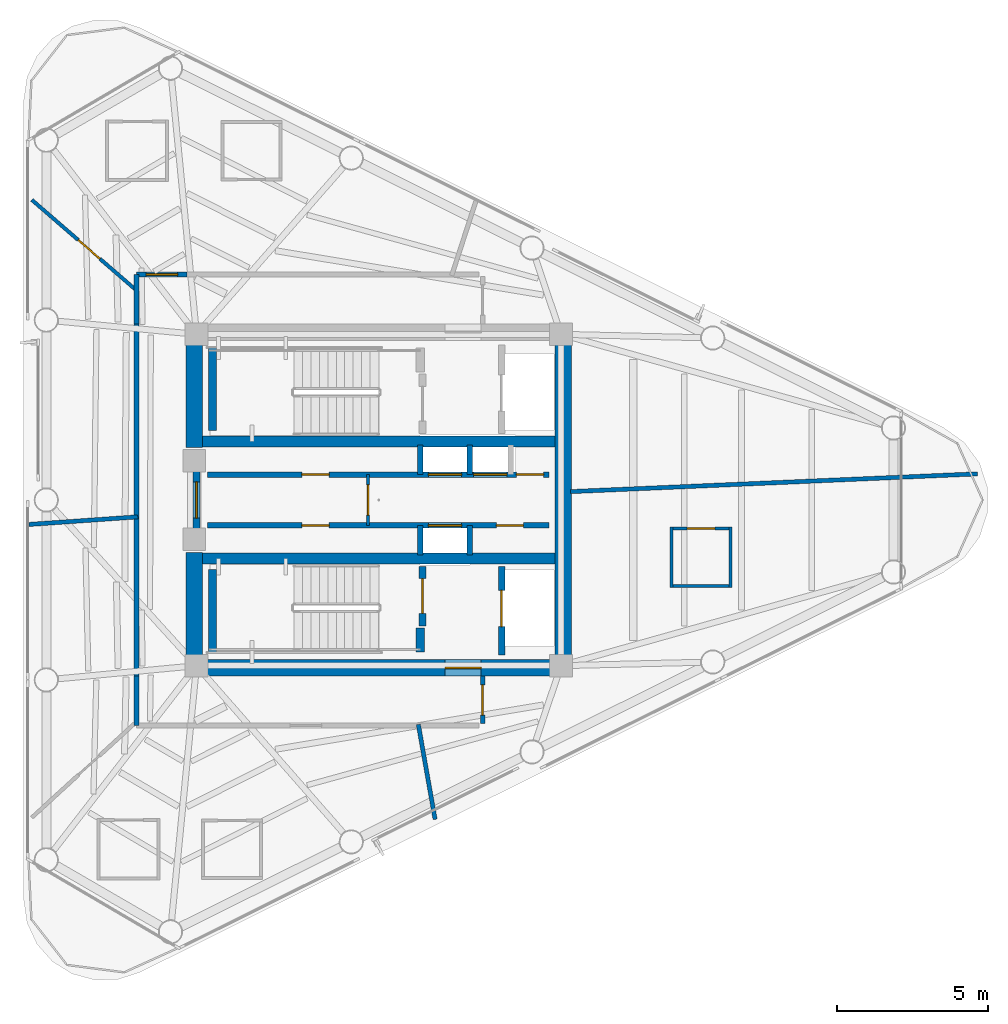
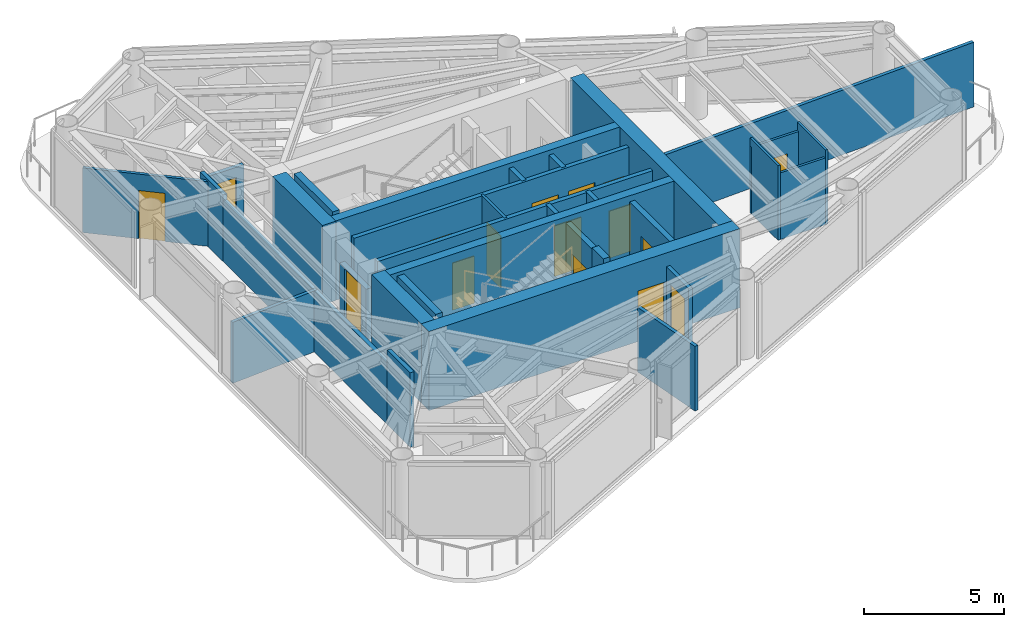
# One storey, part 5 of 10: 32 walls, 16 doors, 16 openings.
"""IFC4 building model written with IfcOpenShell, lengths in metres."""

import ifcopenshell
import ifcopenshell.guid

model = None  # the IFC model being written
_history = None  # IfcOwnerHistory: only IFC2X3 demands one
_inside = {}  # id of a spatial element -> (the spatial element, [elements in it])
_under = {}  # id of a project, library or spatial element -> (it, [spatial elements below it])
_declared = {}  # id of a project -> (the project, [libraries it declares])
_typed = {}  # id of a type object -> (the type object, [elements of that type])
_made_of = {}  # id of a material, layer set ... -> (it, [elements and type objects made of it])


def new_model(schema):
    """Start an empty IFC model of exactly this schema.

    Asked for "IFC4X3", IfcOpenShell would pick the latest addendum, in which some entities
    have other attributes; the version numbers below select the first issue.
    IFC2X3 requires an IfcOwnerHistory on every rooted entity: one is made here for all.
    """
    global model, _history
    if schema == "IFC4X3":
        model = ifcopenshell.file(schema_version=(4, 3, 0, 0))
    else:
        model = ifcopenshell.file(schema=schema)
    _inside.clear()
    _under.clear()
    _declared.clear()
    _typed.clear()
    _made_of.clear()
    _history = None
    if model.schema == "IFC2X3":
        org = make("IfcOrganization", Name="unknown")
        user = make(
            "IfcPersonAndOrganization",
            ThePerson=make("IfcPerson", FamilyName="unknown"),
            TheOrganization=org,
        )
        app = make(
            "IfcApplication",
            ApplicationDeveloper=org,
            Version="unknown",
            ApplicationFullName="unknown",
            ApplicationIdentifier="unknown",
        )
        _history = make(
            "IfcOwnerHistory",
            OwningUser=user,
            OwningApplication=app,
            ChangeAction="ADDED",
            CreationDate=0,
        )
    return model


def make(cls, **values):
    """One entity of the class cls with the attributes given. An attribute that is None is left unset."""
    return model.create_entity(
        cls, **{name: value for name, value in values.items() if value is not None}
    )


def rooted(cls, **values):
    """An entity with a GlobalId (a new one), such as an element, a storey or a relation."""
    return make(cls, GlobalId=ifcopenshell.guid.new(), OwnerHistory=_history, **values)


def si_unit(unit_type, name, prefix=None):
    """IfcSIUnit, for example si_unit("LENGTHUNIT", "METRE", prefix="MILLI")."""
    return make("IfcSIUnit", UnitType=unit_type, Prefix=prefix, Name=name)


def assignment(units):
    """IfcUnitAssignment: the units of a project."""
    return None if units is None else make("IfcUnitAssignment", Units=units)


def point(xyz):
    """IfcCartesianPoint."""
    return None if xyz is None else make("IfcCartesianPoint", Coordinates=xyz)


def direction(xyz):
    """IfcDirection."""
    return None if xyz is None else make("IfcDirection", DirectionRatios=xyz)


def frame(location, z_axis=None, x_axis=None):
    """IfcAxis2Placement3D, a coordinate frame: its origin and axes. An axis left out is left unset."""
    return make(
        "IfcAxis2Placement3D",
        Location=point(location),
        Axis=direction(z_axis),
        RefDirection=direction(x_axis),
    )


def frame_2d(location, x_axis=None):
    """IfcAxis2Placement2D, a coordinate frame in the plane: its origin and x axis."""
    return make(
        "IfcAxis2Placement2D", Location=point(location), RefDirection=direction(x_axis)
    )


def origin():
    """The frame at (0, 0, 0) with its axes left unset."""
    return frame((0.0, 0.0, 0.0))


def place(relative_to, where):
    """IfcLocalPlacement: puts the frame where relative to a parent placement (None: the world)."""
    return make(
        "IfcLocalPlacement", PlacementRelTo=relative_to, RelativePlacement=where
    )


def context(
    kind, dimensions, precision=None, world=None, true_north=None, identifier=None
):
    """IfcGeometricRepresentationContext, for example the 3D "Model" context."""
    return make(
        "IfcGeometricRepresentationContext",
        ContextIdentifier=identifier,
        ContextType=kind,
        CoordinateSpaceDimension=dimensions,
        Precision=precision,
        WorldCoordinateSystem=world,
        TrueNorth=true_north,
    )


def subcontext(parent, identifier, kind, view, scale=None):
    """IfcGeometricRepresentationSubContext, for example "Body" below "Model"."""
    return make(
        "IfcGeometricRepresentationSubContext",
        ContextIdentifier=identifier,
        ContextType=kind,
        ParentContext=parent,
        TargetScale=scale,
        TargetView=view,
    )


def project(units=None, contexts=None):
    """IfcProject with its units and contexts."""
    return rooted(
        "IfcProject",
        Name="project",
        RepresentationContexts=contexts,
        UnitsInContext=assignment(units),
    )


def spatial(cls, under=None, at=None, **own):
    """A site, building, storey or space (cls), placed at a placement, below another one or the project."""
    s = rooted(cls, ObjectPlacement=at, **own)
    if under is not None:
        _under.setdefault(under.id(), (under, []))[1].append(s)
    return s


def profile(cls, at=None, kind="AREA", **sizes):
    """A parametric profile (cls). Its sizes go by their IFC names, for example OverallWidth=200.0."""
    return make(cls, ProfileType=kind, Position=at, **sizes)


def rectangle(**sizes):
    """IfcRectangleProfileDef."""
    return profile("IfcRectangleProfileDef", **sizes)


def extrude(swept, where, along, depth):
    """IfcExtrudedAreaSolid: the profile swept, set in the frame where, extruded along a direction by depth."""
    return make(
        "IfcExtrudedAreaSolid",
        SweptArea=swept,
        Position=where,
        ExtrudedDirection=direction(along),
        Depth=depth,
    )


def shape(context_of_items, identifier, shape_type, items):
    """IfcShapeRepresentation: the items that make up one representation, for example the "Body"."""
    return make(
        "IfcShapeRepresentation",
        ContextOfItems=context_of_items,
        RepresentationIdentifier=identifier,
        RepresentationType=shape_type,
        Items=items,
    )


def material(Name=None, Category=None):
    """IfcMaterial."""
    return make("IfcMaterial", Name=Name, Category=Category)


def layer(
    of_material, thickness, ventilated=None, Name=None, Category=None, Priority=None
):
    """IfcMaterialLayer: one layer of a wall or slab, of a material (None: an air gap)."""
    return make(
        "IfcMaterialLayer",
        Material=of_material,
        LayerThickness=thickness,
        IsVentilated=ventilated,
        Name=Name,
        Category=Category,
        Priority=Priority,
    )


def layer_set(layers, Name=None):
    """IfcMaterialLayerSet."""
    return make("IfcMaterialLayerSet", MaterialLayers=layers, LayerSetName=Name)


def made_of(thing, what):
    """Note that an element or type object is made of a material, layer set ...; save() writes the relation."""
    if what is not None:
        _made_of.setdefault(what.id(), (what, []))[1].append(thing)
    return thing


def type_object(cls, material=None, **own):
    """A type object (cls), such as IfcWallType, which elements share."""
    return made_of(rooted(cls, **own), material)


def element(
    cls,
    number,
    at=None,
    inside=None,
    cuts=None,
    type_object=None,
    material=None,
    context=None,
    identifier="Body",
    shape_type=None,
    held_by="IfcProductDefinitionShape",
    body=None,
    shapes=None,
    **own,
):
    """One element of the class cls, such as IfcWall. Its Tag is "e" and its number.

    at: its placement. inside: the storey or other place that contains it. cuts: it is an
    opening in that element (IfcRelVoidsElement). A single representation is given by context,
    identifier, shape_type and body (its items); several are given by shapes. held_by: the class
    of the entity that holds the representations. save() writes the other relations.
    """
    e = rooted(cls, Tag="e%d" % number, ObjectPlacement=at, **own)
    if body is not None:
        shapes = [shape(context, identifier, shape_type, body)]
    if shapes is not None:
        e.Representation = make(held_by, Representations=shapes)
    if inside is not None:
        _inside.setdefault(inside.id(), (inside, []))[1].append(e)
    if cuts is not None:
        rooted(
            "IfcRelVoidsElement", RelatingBuildingElement=cuts, RelatedOpeningElement=e
        )
    if type_object is not None:
        _typed.setdefault(type_object.id(), (type_object, []))[1].append(e)
    return made_of(e, material)


def fill(opening, filler):
    """IfcRelFillsElement: the door or window that sits in an opening."""
    return rooted(
        "IfcRelFillsElement",
        RelatingOpeningElement=opening,
        RelatedBuildingElement=filler,
    )


def aggregate(whole, parts):
    """IfcRelAggregates: a whole, such as a stair, and the parts it consists of."""
    return rooted("IfcRelAggregates", RelatingObject=whole, RelatedObjects=parts)


def save(model, path):
    """Write the relations noted so far, then the file.

    IfcRelAggregates (storeys below a building ...), IfcRelContainedInSpatialStructure (elements
    in a storey), IfcRelDefinesByType, IfcRelAssociatesMaterial and IfcRelDeclares: one each for
    every whole, place, type object, material and project.
    """
    for whole, parts in _under.values():
        aggregate(whole, parts)
    for where, things in _inside.values():
        rooted(
            "IfcRelContainedInSpatialStructure",
            RelatedElements=things,
            RelatingStructure=where,
        )
    for kind, things in _typed.values():
        rooted("IfcRelDefinesByType", RelatedObjects=things, RelatingType=kind)
    for what, things in _made_of.values():
        rooted("IfcRelAssociatesMaterial", RelatedObjects=things, RelatingMaterial=what)
    for by, libraries in _declared.values():
        rooted("IfcRelDeclares", RelatingContext=by, RelatedDefinitions=libraries)
    model.write(path)


model = new_model("IFC4")

# Units and contexts
model_context = context("Model", 3, precision=1e-05, world=origin(), true_north=direction((0.0, 1.0)))
body_context = subcontext(model_context, "Body", "Model", "MODEL_VIEW")
ifc_project = project(units=[si_unit("LENGTHUNIT", "METRE"), si_unit("AREAUNIT", "SQUARE_METRE"), si_unit("VOLUMEUNIT", "CUBIC_METRE"), si_unit("PLANEANGLEUNIT", "RADIAN"), si_unit("MASSUNIT", "GRAM", prefix="KILO")], contexts=[model_context])

# Site, building, storey
site_placement = place(None, origin())
site = spatial("IfcSite", under=ifc_project, at=site_placement, CompositionType="ELEMENT")
building_placement = place(site_placement, origin())
building = spatial("IfcBuilding", under=site, at=building_placement, Name="Yunling Apex Tower", CompositionType="ELEMENT")
storey_placement = place(building_placement, frame((0.0, 0.0, 307.10009765625)))
storey = spatial("IfcBuildingStorey", under=building, at=storey_placement, Name="L75", CompositionType="ELEMENT", Elevation=307.10009765625)

# Wall, opening, door
ifc_material_1 = material(Name="Concrete C40", Category="concrete")
ifc_layer_1 = layer(ifc_material_1, 0.550048828125)
ifc_layer_set_1 = layer_set([ifc_layer_1], Name="Concrete C40")
wall_type_1 = type_object("IfcWallType", Name="WL-COR-3", PredefinedType="SHEAR", material=ifc_layer_set_1)
wall_1_placement = place(storey_placement, frame((-6.39990234375, -5.574951171875, 0.0), z_axis=(0.0, 0.0, 1.0), x_axis=(1.0, 0.0, 0.0)))
wall_1 = element("IfcWall", 1, at=wall_1_placement, inside=storey, type_object=wall_type_1, Name="L75 South Core Shear Wall", PredefinedType="SHEAR", context=body_context, shape_type="SweptSolid", body=[
    extrude(rectangle(XDim=12.7998046875, YDim=0.550048828125, at=frame_2d((6.39990234375, 0.0))), origin(), (0.0, 0.0, 1.0), 3.449951171875),
])
opening_1_placement = place(wall_1_placement, frame((8.60009765625, 0.0, 0.0)))
opening_1 = element("IfcOpeningElement", 2, at=opening_1_placement, cuts=wall_1, Name="Opening DR-FFL-1", PredefinedType="OPENING", context=body_context, shape_type="SweptSolid", body=[
    extrude(rectangle(XDim=1.199951171875, YDim=2.199951171875, at=frame_2d((0.60009765625, 1.10009765625))), frame((0.0, 0.28515625, 0.0), z_axis=(0.0, -1.0, 0.0), x_axis=(1.0, 0.0, 0.0)), (0.0, 0.0, 1.0), 0.570068359375),
])
ifc_material_2 = material(Name="Steel Q355B", Category="steel")
door_type_1 = type_object("IfcDoorType", Name="DR-FFL-1", OperationType="NOTDEFINED", PredefinedType="DOOR", material=ifc_material_2)
door_1_placement = place(opening_1_placement, origin())
door_1 = element("IfcDoor", 3, at=door_1_placement, inside=storey, type_object=door_type_1, Name="L75 South Firefighting Lobby Door", OperationType="SINGLE_SWING_RIGHT", OverallHeight=2.199951171875, OverallWidth=1.199951171875, PredefinedType="DOOR", context=body_context, shape_type="SweptSolid", body=[
    extrude(rectangle(XDim=1.199951171875, YDim=2.199951171875, at=frame_2d((0.60009765625, 1.10009765625))), frame((0.0, 0.02490234375, 0.0), z_axis=(0.0, -1.0, 0.0), x_axis=(1.0, 0.0, 0.0)), (0.0, 0.0, 1.0), 0.050048828125),
])
fill(opening_1, door_1)

# Walls
wall_2_placement = place(storey_placement, frame((6.125, -5.300048828125, 0.0), z_axis=(0.0, 0.0, 1.0), x_axis=(0.0, 1.0, 0.0)))
element("IfcWall", 4, at=wall_2_placement, inside=storey, type_object=wall_type_1, Name="L75 East Core Shear Wall", PredefinedType="SHEAR", context=body_context, shape_type="SweptSolid", body=[
    extrude(rectangle(XDim=10.60009765625, YDim=0.550048828125, at=frame_2d((5.300048828125, 0.0))), origin(), (0.0, 0.0, 1.0), 3.449951171875),
])
for number, where, z_axis, x_axis, name in (
    (5, (-6.125, -5.300048828125, 0.0), (0.0, 0.0, 1.0), (0.0, 1.0, 0.0), "L75 West-South Core Shear Wall"),
    (6, (-6.125, 1.75, 0.0), (0.0, 0.0, 1.0), (0.0, 1.0, 0.0), "L75 West-North Core Shear Wall"),
):
    element("IfcWall", number, at=place(storey_placement, frame(where, z_axis=z_axis, x_axis=x_axis)), inside=storey, type_object=wall_type_1, Name=name, PredefinedType="SHEAR", context=body_context, shape_type="SweptSolid", body=[
        extrude(rectangle(XDim=3.550048828125, YDim=0.550048828125, at=frame_2d((1.77490234375, 0.0))), origin(), (0.0, 0.0, 1.0), 3.449951171875),
    ])
ifc_layer_2 = layer(ifc_material_1, 0.360107421875)
ifc_layer_set_2 = layer_set([ifc_layer_2], Name="Concrete C40")
wall_type_2 = type_object("IfcWallType", Name="WL-COR-4", PredefinedType="SHEAR", material=ifc_layer_set_2)
for number, where, z_axis, x_axis, name in (
    (7, (-5.85009765625, 1.93994140625, 0.0), (0.0, 0.0, 1.0), (1.0, 0.0, 0.0), "L75 North Internal Core Shear Wall"),
    (8, (-5.85009765625, -1.93994140625, 0.0), (0.0, 0.0, 1.0), (1.0, 0.0, 0.0), "L75 South Internal Core Shear Wall"),
):
    element("IfcWall", number, at=place(storey_placement, frame(where, z_axis=z_axis, x_axis=x_axis)), inside=storey, type_object=wall_type_2, Name=name, PredefinedType="SHEAR", context=body_context, shape_type="SweptSolid", body=[
        extrude(rectangle(XDim=11.7001953125, YDim=0.360107421875, at=frame_2d((5.85009765625, 0.0))), origin(), (0.0, 0.0, 1.0), 3.449951171875),
    ])
ifc_layer_3 = layer(ifc_material_1, 0.280029296875)
ifc_layer_set_3 = layer_set([ifc_layer_3], Name="Concrete C40")
wall_type_3 = type_object("IfcWallType", Name="WL-COR-8", PredefinedType="SHEAR", material=ifc_layer_set_3)
for number, where, z_axis, x_axis, name in (
    (9, (-5.52001953125, 2.300048828125, 0.0), (0.0, 0.0, 1.0), (0.0, 1.0, 0.0), "L75 ST-1 West Landing Bearing Wall"),
    (10, (-5.52001953125, -5.050048828125, 0.0), (0.0, 0.0, 1.0), (0.0, 1.0, 0.0), "L75 ST-2 West Landing Bearing Wall"),
):
    element("IfcWall", number, at=place(storey_placement, frame(where, z_axis=z_axis, x_axis=x_axis)), inside=storey, type_object=wall_type_3, Name=name, PredefinedType="SHEAR", context=body_context, shape_type="SweptSolid", body=[
        extrude(rectangle(XDim=2.75, YDim=0.280029296875, at=frame_2d((1.375, 0.0))), origin(), (0.0, 0.0, 1.0), 3.449951171875),
    ])
wall_3_placement = place(storey_placement, frame((1.3798828125, -5.050048828125, 0.0), z_axis=(0.0, 0.0, 1.0), x_axis=(0.0, 1.0, 0.0)))
element("IfcWall", 11, at=wall_3_placement, inside=storey, type_object=wall_type_3, Name="L75 ST-2 East Landing Bearing Pier", PredefinedType="SHEAR", context=body_context, shape_type="SweptSolid", body=[
    extrude(rectangle(XDim=0.800048828125, YDim=0.280029296875, at=frame_2d((0.39990234375, 0.0))), origin(), (0.0, 0.0, 1.0), 3.449951171875),
])
ifc_material_3 = material(Name="Gypsum board acoustic partition")
ifc_layer_4 = layer(ifc_material_3, 0.159912109375)
ifc_layer_set_4 = layer_set([ifc_layer_4], Name="Gypsum board acoustic partition")
wall_type_4 = type_object("IfcWallType", Name="WL-PRT-1", PredefinedType="PARTITIONING", material=ifc_layer_set_4)
wall_4_placement = place(storey_placement, frame((-8.0400390625, 5.85009765625, 0.0), z_axis=(0.0, 0.0, 1.0), x_axis=(0.0, 1.0, 0.0)))
element("IfcWall", 12, at=wall_4_placement, inside=storey, type_object=wall_type_4, Name="WL-CORR-L75-01", PredefinedType="PARTITIONING", context=body_context, shape_type="SweptSolid", body=[
    extrude(rectangle(XDim=1.639892578125, YDim=0.159912109375, at=frame_2d((0.81982421875, 0.0))), origin(), (0.0, 0.0, 1.0), 2.90478515625),
])

# Wall, opening, door
wall_5_placement = place(storey_placement, frame((-8.0400390625, 7.489990234375, 0.0), z_axis=(0.0, 0.0, 1.0), x_axis=(1.0, 0.0, 0.0)))
wall_5 = element("IfcWall", 13, at=wall_5_placement, inside=storey, type_object=wall_type_4, Name="WL-CORR-L75-02", PredefinedType="PARTITIONING", context=body_context, shape_type="SweptSolid", body=[
    extrude(rectangle(XDim=1.679931640625, YDim=0.159912109375, at=frame_2d((0.83984375, 0.0))), origin(), (0.0, 0.0, 1.0), 2.65478515625),
])
opening_2_placement = place(wall_5_placement, frame((0.31494140625, 0.0, 0.0)))
opening_2 = element("IfcOpeningElement", 14, at=opening_2_placement, cuts=wall_5, Name="Opening DR-FL-1", PredefinedType="OPENING", context=body_context, shape_type="SweptSolid", body=[
    extrude(rectangle(XDim=1.050048828125, YDim=2.199951171875, at=frame_2d((0.52490234375, 1.10009765625))), frame((0.0, 0.08984375, 0.0), z_axis=(0.0, -1.0, 0.0), x_axis=(1.0, 0.0, 0.0)), (0.0, 0.0, 1.0), 0.179931640625),
])
ifc_material_4 = material(Name="Timber fire-rated leaf", Category="wood")
door_type_2 = type_object("IfcDoorType", Name="DR-FL-1", OperationType="NOTDEFINED", PredefinedType="DOOR", material=ifc_material_4)
door_2_placement = place(opening_2_placement, origin())
door_2 = element("IfcDoor", 15, at=door_2_placement, inside=storey, type_object=door_type_2, Name="L75 Unit 4 Entrance Door", OperationType="SINGLE_SWING_LEFT", OverallHeight=2.199951171875, OverallWidth=1.050048828125, PredefinedType="DOOR", context=body_context, shape_type="SweptSolid", body=[
    extrude(rectangle(XDim=1.050048828125, YDim=2.199951171875, at=frame_2d((0.52490234375, 1.10009765625))), frame((0.0, 0.02490234375, 0.0), z_axis=(0.0, -1.0, 0.0), x_axis=(1.0, 0.0, 0.0)), (0.0, 0.0, 1.0), 0.050048828125),
])
fill(opening_2, door_2)

wall_6_placement = place(storey_placement, frame((3.449951171875, -5.85009765625, 0.0), z_axis=(0.0, 0.0, 1.0), x_axis=(0.0, -1.0, 0.0)))
wall_6 = element("IfcWall", 16, at=wall_6_placement, inside=storey, type_object=wall_type_4, Name="WL-CORR-L75-05", PredefinedType="PARTITIONING", context=body_context, shape_type="SweptSolid", body=[
    extrude(rectangle(XDim=1.57470703125, YDim=0.159912109375, at=frame_2d((0.787353515625, 0.0))), origin(), (0.0, 0.0, 1.0), 2.85498046875),
])
opening_3_placement = place(wall_6_placement, frame((0.287353515625, 0.0, 0.0)))
opening_3 = element("IfcOpeningElement", 17, at=opening_3_placement, cuts=wall_6, Name="Opening DR-OFF-1", PredefinedType="OPENING", context=body_context, shape_type="SweptSolid", body=[
    extrude(rectangle(XDim=1.0, YDim=2.25, at=frame_2d((0.5, 1.125))), frame((0.0, 0.08984375, 0.0), z_axis=(0.0, -1.0, 0.0), x_axis=(1.0, 0.0, 0.0)), (0.0, 0.0, 1.0), 0.179931640625),
])
ifc_material_5 = material(Name="Bronze anodised aluminium", Category="aluminium")
door_type_3 = type_object("IfcDoorType", Name="DR-OFF-1", OperationType="NOTDEFINED", PredefinedType="DOOR", material=ifc_material_5)
door_3_placement = place(opening_3_placement, origin())
door_3 = element("IfcDoor", 18, at=door_3_placement, inside=storey, type_object=door_type_3, Name="L75 Residents Music Lounge Door", OperationType="SINGLE_SWING_LEFT", OverallHeight=2.25, OverallWidth=1.0, PredefinedType="DOOR", context=body_context, shape_type="SweptSolid", body=[
    extrude(rectangle(XDim=1.0, YDim=2.25, at=frame_2d((0.5, 1.125))), frame((0.0, 0.02490234375, 0.0), z_axis=(0.0, -1.0, 0.0), x_axis=(1.0, 0.0, 0.0)), (0.0, 0.0, 1.0), 0.050048828125),
])
fill(opening_3, door_3)

# Walls
wall_7_placement = place(storey_placement, frame((-8.0400390625, -7.489990234375, 0.0), z_axis=(0.0, 0.0, 1.0), x_axis=(0.0, 1.0, 0.0)))
element("IfcWall", 19, at=wall_7_placement, inside=storey, type_object=wall_type_4, Name="WL-CORR-L75-08", PredefinedType="PARTITIONING", context=body_context, shape_type="SweptSolid", body=[
    extrude(rectangle(XDim=1.639892578125, YDim=0.159912109375, at=frame_2d((0.81982421875, 0.0))), origin(), (0.0, 0.0, 1.0), 3.25),
])
wall_8_placement = place(storey_placement, frame((-8.0400390625, -5.85009765625, 0.0), z_axis=(0.0, 0.0, 1.0), x_axis=(0.0, 1.0, 0.0)))
element("IfcWall", 20, at=wall_8_placement, inside=storey, type_object=wall_type_4, Name="WL-CORR-L75-09", PredefinedType="PARTITIONING", context=body_context, shape_type="SweptSolid", body=[
    extrude(rectangle(XDim=11.7001953125, YDim=0.159912109375, at=frame_2d((5.85009765625, 0.0))), origin(), (0.0, 0.0, 1.0), 2.65478515625),
])
ifc_layer_5 = layer(ifc_material_3, 0.139892578125)
ifc_layer_set_5 = layer_set([ifc_layer_5], Name="Gypsum board acoustic partition")
wall_type_5 = type_object("IfcWallType", Name="WL-PRT-2", PredefinedType="PARTITIONING", material=ifc_layer_set_5)
wall_9_placement = place(storey_placement, frame((6.360107421875, 0.277587890625, 0.0), z_axis=(0.0, 0.0, 1.0), x_axis=(0.999047623791, 0.043633076864, 0.0)))
element("IfcWall", 21, at=wall_9_placement, inside=storey, type_object=wall_type_5, Name="WL-RAD-L75-01", PredefinedType="PARTITIONING", context=body_context, shape_type="SweptSolid", body=[
    extrude(rectangle(XDim=13.52392578125, YDim=0.139892578125, at=frame_2d((6.761962890625, 0.0))), origin(), (0.0, 0.0, 1.0), 2.81494140625),
])
wall_10_placement = place(storey_placement, frame((-8.0, -0.559326171875, 0.0), z_axis=(0.0, 0.0, 1.0), x_axis=(-0.99756047181, -0.069807629118, 0.0)))
element("IfcWall", 22, at=wall_10_placement, inside=storey, type_object=wall_type_5, Name="WL-RAD-L75-03", PredefinedType="PARTITIONING", context=body_context, shape_type="SweptSolid", body=[
    extrude(rectangle(XDim=3.6162109375, YDim=0.139892578125, at=frame_2d((1.80810546875, 0.0))), origin(), (0.0, 0.0, 1.0), 2.65478515625),
])
wall_11_placement = place(storey_placement, frame((1.313720703125, -7.449951171875, 0.0), z_axis=(0.0, 0.0, 1.0), x_axis=(0.173619966433, -0.984812726997, 0.0)))
element("IfcWall", 23, at=wall_11_placement, inside=storey, type_object=wall_type_5, Name="WL-RAD-L75-04", PredefinedType="PARTITIONING", context=body_context, shape_type="SweptSolid", body=[
    extrude(rectangle(XDim=3.200439453125, YDim=0.139892578125, at=frame_2d((1.60009765625, 0.0))), origin(), (0.0, 0.0, 1.0), 2.81494140625),
])

# Wall, opening, door
ifc_layer_6 = layer(ifc_material_3, 0.1201171875)
ifc_layer_set_6 = layer_set([ifc_layer_6], Name="Gypsum board acoustic partition")
wall_type_6 = type_object("IfcWallType", Name="WL-PRT-3", PredefinedType="PARTITIONING", material=ifc_layer_set_6)
wall_12_placement = place(storey_placement, frame((-8.070068359375, 6.98095703125, 0.0), z_axis=(0.0, 0.0, 1.0), x_axis=(-0.756280799409, 0.654247164644, 0.0)))
wall_12 = element("IfcWall", 24, at=wall_12_placement, inside=storey, type_object=wall_type_6, Name="WL-BED-L75-4", PredefinedType="PARTITIONING", context=body_context, shape_type="SweptSolid", body=[
    extrude(rectangle(XDim=4.55810546875, YDim=0.1201171875, at=frame_2d((2.279052734375, 0.0))), origin(), (0.0, 0.0, 1.0), 2.81494140625),
])
opening_4_placement = place(wall_12_placement, frame((1.5712890625, 0.0, 0.0)))
opening_4 = element("IfcOpeningElement", 25, at=opening_4_placement, cuts=wall_12, Name="Opening DR-RM-1", PredefinedType="OPENING", context=body_context, shape_type="SweptSolid", body=[
    extrude(rectangle(XDim=0.949951171875, YDim=2.10009765625, at=frame_2d((0.47509765625, 1.050048828125))), frame((0.0, 0.070068359375, 0.0), z_axis=(0.0, -1.0, 0.0), x_axis=(1.0, 0.0, 0.0)), (0.0, 0.0, 1.0), 0.14013671875),
])
ifc_material_6 = material(Name="Timber flush leaf", Category="wood")
door_type_4 = type_object("IfcDoorType", Name="DR-RM-1", OperationType="NOTDEFINED", PredefinedType="DOOR", material=ifc_material_6)
door_4_placement = place(opening_4_placement, origin())
door_4 = element("IfcDoor", 26, at=door_4_placement, inside=storey, type_object=door_type_4, Name="L75 Unit 4 Bedroom Door", OperationType="SINGLE_SWING_RIGHT", OverallHeight=2.10009765625, OverallWidth=0.949951171875, PredefinedType="DOOR", context=body_context, shape_type="SweptSolid", body=[
    extrude(rectangle(XDim=0.949951171875, YDim=2.10009765625, at=frame_2d((0.47509765625, 1.050048828125))), frame((0.0, 0.02490234375, 0.0), z_axis=(0.0, -1.0, 0.0), x_axis=(1.0, 0.0, 0.0)), (0.0, 0.0, 1.0), 0.050048828125),
])
fill(opening_4, door_4)

ifc_layer_7 = layer(ifc_material_3, 0.10009765625)
ifc_layer_set_7 = layer_set([ifc_layer_7], Name="Gypsum board acoustic partition")
wall_type_7 = type_object("IfcWallType", Name="WL-PRT-4", PredefinedType="PARTITIONING", material=ifc_layer_set_7)
wall_13_placement = place(storey_placement, frame((-0.35009765625, -0.840087890625, 0.0), z_axis=(0.0, 0.0, 1.0), x_axis=(0.0, 1.0, 0.0)))
wall_13 = element("IfcWall", 27, at=wall_13_placement, inside=storey, type_object=wall_type_7, Name="WL-LOB-MID-L75", PredefinedType="PARTITIONING", context=body_context, shape_type="SweptSolid", body=[
    extrude(rectangle(XDim=1.68017578125, YDim=0.10009765625, at=frame_2d((0.840087890625, 0.0))), origin(), (0.0, 0.0, 1.0), 3.25),
])
opening_5_placement = place(wall_13_placement, frame((0.340087890625, 0.0, 0.0)))
opening_5 = element("IfcOpeningElement", 28, at=opening_5_placement, cuts=wall_13, Name="Opening DR-OFF-1", PredefinedType="OPENING", context=body_context, shape_type="SweptSolid", body=[
    extrude(rectangle(XDim=1.0, YDim=2.25, at=frame_2d((0.5, 1.125))), frame((0.0, 0.06005859375, 0.0), z_axis=(0.0, -1.0, 0.0), x_axis=(1.0, 0.0, 0.0)), (0.0, 0.0, 1.0), 0.1201171875),
])
door_5_placement = place(opening_5_placement, origin())
door_5 = element("IfcDoor", 29, at=door_5_placement, inside=storey, type_object=door_type_3, Name="L75 Core Lobby Link Door", OperationType="SINGLE_SWING_LEFT", OverallHeight=2.25, OverallWidth=1.0, PredefinedType="DOOR", context=body_context, shape_type="SweptSolid", body=[
    extrude(rectangle(XDim=1.0, YDim=2.25, at=frame_2d((0.5, 1.125))), frame((0.0, 0.02490234375, 0.0), z_axis=(0.0, -1.0, 0.0), x_axis=(1.0, 0.0, 0.0)), (0.0, 0.0, 1.0), 0.050048828125),
])
fill(opening_5, door_5)

wall_14_placement = place(storey_placement, frame((9.669921875, -0.951904296875, 0.0), z_axis=(0.0, 0.0, 1.0), x_axis=(1.0, 0.0, 0.0)))
wall_14 = element("IfcWall", 30, at=wall_14_placement, inside=storey, type_object=wall_type_7, Name="WL-L75-RWC2N", PredefinedType="PARTITIONING", context=body_context, shape_type="SweptSolid", body=[
    extrude(rectangle(XDim=2.050048828125, YDim=0.10009765625, at=frame_2d((1.02490234375, 0.0))), origin(), (0.0, 0.0, 1.0), 2.90478515625),
])
opening_6_placement = place(wall_14_placement, frame((0.56494140625, 0.0, 0.0)))
opening_6 = element("IfcOpeningElement", 31, at=opening_6_placement, cuts=wall_14, Name="Opening DR-WC-1", PredefinedType="OPENING", context=body_context, shape_type="SweptSolid", body=[
    extrude(rectangle(XDim=0.919921875, YDim=2.10009765625, at=frame_2d((0.4599609375, 1.050048828125))), frame((0.0, 0.06005859375, 0.0), z_axis=(0.0, -1.0, 0.0), x_axis=(1.0, 0.0, 0.0)), (0.0, 0.0, 1.0), 0.1201171875),
])
ifc_material_7 = material(Name="Timber moisture-resistant leaf", Category="wood")
door_type_5 = type_object("IfcDoorType", Name="DR-WC-1", OperationType="NOTDEFINED", PredefinedType="DOOR", material=ifc_material_7)
door_6_placement = place(opening_6_placement, origin())
door_6 = element("IfcDoor", 32, at=door_6_placement, inside=storey, type_object=door_type_5, Name="L75 Accessible WC Door", OperationType="SINGLE_SWING_LEFT", OverallHeight=2.10009765625, OverallWidth=0.919921875, PredefinedType="DOOR", context=body_context, shape_type="SweptSolid", body=[
    extrude(rectangle(XDim=0.919921875, YDim=2.10009765625, at=frame_2d((0.4599609375, 1.050048828125))), frame((0.0, 0.02490234375, 0.0), z_axis=(0.0, -1.0, 0.0), x_axis=(1.0, 0.0, 0.0)), (0.0, 0.0, 1.0), 0.050048828125),
])
fill(opening_6, door_6)

# Walls
wall_15_placement = place(storey_placement, frame((11.719970703125, -2.85205078125, 0.0), z_axis=(0.0, 0.0, 1.0), x_axis=(-1.0, 0.0, 0.0)))
element("IfcWall", 33, at=wall_15_placement, inside=storey, type_object=wall_type_7, Name="WL-L75-RWC2S", PredefinedType="PARTITIONING", context=body_context, shape_type="SweptSolid", body=[
    extrude(rectangle(XDim=2.050048828125, YDim=0.10009765625, at=frame_2d((1.02490234375, 0.0))), origin(), (0.0, 0.0, 1.0), 2.90478515625),
])
for number, where, z_axis, x_axis, name in (
    (34, (11.669921875, -0.902099609375, 0.0), (0.0, 0.0, 1.0), (0.0, -1.0, 0.0), "WL-L75-RWC2E"),
    (35, (9.719970703125, -2.902099609375, 0.0), (0.0, 0.0, 1.0), (0.0, 1.0, 0.0), "WL-L75-RWC2W"),
):
    element("IfcWall", number, at=place(storey_placement, frame(where, z_axis=z_axis, x_axis=x_axis)), inside=storey, type_object=wall_type_7, Name=name, PredefinedType="PARTITIONING", context=body_context, shape_type="SweptSolid", body=[
        extrude(rectangle(XDim=2.0, YDim=0.10009765625, at=frame_2d((1.0, 0.0))), origin(), (0.0, 0.0, 1.0), 3.25),
    ])

# Wall, opening, door
ifc_material_8 = material(Name="Autoclaved aerated concrete masonry", Category="masonry")
ifc_layer_8 = layer(ifc_material_8, 0.219970703125)
ifc_layer_set_8 = layer_set([ifc_layer_8], Name="Autoclaved aerated concrete masonry")
wall_type_8 = type_object("IfcWallType", Name="WL-SHF-1", PredefinedType="PLUMBINGWALL", material=ifc_layer_set_8)
wall_16_placement = place(storey_placement, frame((-6.050048828125, -0.949951171875, 0.0), z_axis=(0.0, 0.0, 1.0), x_axis=(0.0, 1.0, 0.0)))
wall_16 = element("IfcWall", 36, at=wall_16_placement, inside=storey, type_object=wall_type_8, Name="WL-COR-WPORT-L75", PredefinedType="PLUMBINGWALL", context=body_context, shape_type="SweptSolid", body=[
    extrude(rectangle(XDim=1.89990234375, YDim=0.219970703125, at=frame_2d((0.949951171875, 0.0))), origin(), (0.0, 0.0, 1.0), 2.22998046875),
])
opening_7_placement = place(wall_16_placement, frame((0.35009765625, 0.0, 0.0)))
opening_7 = element("IfcOpeningElement", 37, at=opening_7_placement, cuts=wall_16, Name="Opening DR-FFL-1", PredefinedType="OPENING", context=body_context, shape_type="SweptSolid", body=[
    extrude(rectangle(XDim=1.199951171875, YDim=2.199951171875, at=frame_2d((0.60009765625, 1.10009765625))), frame((0.0, 0.1201171875, 0.0), z_axis=(0.0, -1.0, 0.0), x_axis=(1.0, 0.0, 0.0)), (0.0, 0.0, 1.0), 0.239990234375),
])
door_7_placement = place(opening_7_placement, origin())
door_7 = element("IfcDoor", 38, at=door_7_placement, inside=storey, type_object=door_type_1, Name="L75 Passenger Lift Lobby Entrance Door", OperationType="SINGLE_SWING_LEFT", OverallHeight=2.199951171875, OverallWidth=1.199951171875, PredefinedType="DOOR", context=body_context, shape_type="SweptSolid", body=[
    extrude(rectangle(XDim=1.199951171875, YDim=2.199951171875, at=frame_2d((0.60009765625, 1.10009765625))), frame((0.0, 0.02490234375, 0.0), z_axis=(0.0, -1.0, 0.0), x_axis=(1.0, 0.0, 0.0)), (0.0, 0.0, 1.0), 0.050048828125),
])
fill(opening_7, door_7)

wall_17_placement = place(storey_placement, frame((1.449951171875, -4.179931640625, 0.0), z_axis=(0.0, 0.0, 1.0), x_axis=(0.0, 1.0, 0.0)))
wall_17 = element("IfcWall", 39, at=wall_17_placement, inside=storey, type_object=wall_type_8, Name="WL-ST2-E-L75", PredefinedType="PLUMBINGWALL", context=body_context, shape_type="SweptSolid", body=[
    extrude(rectangle(XDim=1.97998046875, YDim=0.219970703125, at=frame_2d((0.989990234375, 0.0))), origin(), (0.0, 0.0, 1.0), 3.25),
])
opening_8_placement = place(wall_17_placement, frame((0.419921875, 0.0, 0.0)))
opening_8 = element("IfcOpeningElement", 40, at=opening_8_placement, cuts=wall_17, Name="Opening DR-ST-1", PredefinedType="OPENING", context=body_context, shape_type="SweptSolid", body=[
    extrude(rectangle(XDim=1.14990234375, YDim=2.14990234375, at=frame_2d((0.574951171875, 1.074951171875))), frame((0.0, 0.1201171875, 0.0), z_axis=(0.0, -1.0, 0.0), x_axis=(1.0, 0.0, 0.0)), (0.0, 0.0, 1.0), 0.239990234375),
])
door_type_6 = type_object("IfcDoorType", Name="DR-ST-1", OperationType="NOTDEFINED", PredefinedType="DOOR", material=ifc_material_2)
door_8_placement = place(opening_8_placement, origin())
door_8 = element("IfcDoor", 41, at=door_8_placement, inside=storey, type_object=door_type_6, Name="L75 Stair ST-2 Fire Door", OperationType="SINGLE_SWING_RIGHT", OverallHeight=2.14990234375, OverallWidth=1.14990234375, PredefinedType="DOOR", context=body_context, shape_type="SweptSolid", body=[
    extrude(rectangle(XDim=1.14990234375, YDim=2.14990234375, at=frame_2d((0.574951171875, 1.074951171875))), frame((0.0, 0.02490234375, 0.0), z_axis=(0.0, -1.0, 0.0), x_axis=(1.0, 0.0, 0.0)), (0.0, 0.0, 1.0), 0.050048828125),
])
fill(opening_8, door_8)

wall_18_placement = place(storey_placement, frame((4.080078125, -5.14990234375, 0.0), z_axis=(0.0, 0.0, 1.0), x_axis=(0.0, 1.0, 0.0)))
wall_18 = element("IfcWall", 42, at=wall_18_placement, inside=storey, type_object=wall_type_8, Name="WL-FFL2-W-L75", PredefinedType="PLUMBINGWALL", context=body_context, shape_type="SweptSolid", body=[
    extrude(rectangle(XDim=2.949951171875, YDim=0.219970703125, at=frame_2d((1.47509765625, 0.0))), origin(), (0.0, 0.0, 1.0), 3.25),
])
opening_9_placement = place(wall_18_placement, frame((0.949951171875, 0.0, 0.0)))
opening_9 = element("IfcOpeningElement", 43, at=opening_9_placement, cuts=wall_18, Name="Opening LD-FFL-1", PredefinedType="OPENING", context=body_context, shape_type="SweptSolid", body=[
    extrude(rectangle(XDim=1.199951171875, YDim=2.25, at=frame_2d((0.60009765625, 1.125))), frame((0.0, 0.1201171875, 0.0), z_axis=(0.0, -1.0, 0.0), x_axis=(1.0, 0.0, 0.0)), (0.0, 0.0, 1.0), 0.239990234375),
])
door_type_7 = type_object("IfcDoorType", Name="LD-FFL-1", OperationType="DOUBLE_DOOR_SLIDING", PredefinedType="DOOR", material=ifc_material_2)
door_9_placement = place(opening_9_placement, origin())
door_9 = element("IfcDoor", 44, at=door_9_placement, inside=storey, type_object=door_type_7, Name="L75 Lift FFL-2 Landing Door", OperationType="DOUBLE_DOOR_SLIDING", OverallHeight=2.25, OverallWidth=1.199951171875, PredefinedType="DOOR", context=body_context, shape_type="SweptSolid", body=[
    extrude(rectangle(XDim=1.199951171875, YDim=2.25, at=frame_2d((0.60009765625, 1.125))), frame((0.0, 0.02490234375, 0.0), z_axis=(0.0, -1.0, 0.0), x_axis=(1.0, 0.0, 0.0)), (0.0, 0.0, 1.0), 0.050048828125),
])
fill(opening_9, door_9)

# Walls
ifc_layer_9 = layer(ifc_material_8, 0.179931640625)
ifc_layer_set_9 = layer_set([ifc_layer_9], Name="Autoclaved aerated concrete masonry")
wall_type_9 = type_object("IfcWallType", Name="WL-SHF-2", PredefinedType="PLUMBINGWALL", material=ifc_layer_set_9)
for number, where, z_axis, x_axis, name in (
    (45, (1.3798828125, 0.840087890625, 0.0), (0.0, 0.0, 1.0), (0.0, 1.0, 0.0), "WL-BNK-MH-N-L75"),
    (46, (1.3798828125, -1.820068359375, 0.0), (0.0, 0.0, 1.0), (0.0, 1.0, 0.0), "WL-BNK-MH-S-L75"),
    (47, (3.02001953125, 0.840087890625, 0.0), (0.0, 0.0, 1.0), (0.0, 1.0, 0.0), "WL-DIV-H13-L75"),
    (48, (3.02001953125, -1.820068359375, 0.0), (0.0, 0.0, 1.0), (0.0, 1.0, 0.0), "WL-END-H2E-L75"),
):
    element("IfcWall", number, at=place(storey_placement, frame(where, z_axis=z_axis, x_axis=x_axis)), inside=storey, type_object=wall_type_9, Name=name, PredefinedType="PLUMBINGWALL", context=body_context, shape_type="SweptSolid", body=[
        extrude(rectangle(XDim=0.97998046875, YDim=0.179931640625, at=frame_2d((0.489990234375, 0.0))), origin(), (0.0, 0.0, 1.0), 3.25),
    ])

# Wall, openings, doors
wall_19_placement = place(storey_placement, frame((-5.679931640625, 0.840087890625, 0.0), z_axis=(0.0, 0.0, 1.0), x_axis=(1.0, 0.0, 0.0)))
wall_19 = element("IfcWall", 49, at=wall_19_placement, inside=storey, type_object=wall_type_9, Name="WL-LOB-N-L75", PredefinedType="PLUMBINGWALL", context=body_context, shape_type="SweptSolid", body=[
    extrude(rectangle(XDim=11.329833984375, YDim=0.179931640625, at=frame_2d((5.6650390625, 0.0))), origin(), (0.0, 0.0, 1.0), 3.25),
])
opening_10_placement = place(wall_19_placement, frame((3.1298828125, 0.0, 0.0)))
opening_10 = element("IfcOpeningElement", 50, at=opening_10_placement, cuts=wall_19, Name="Opening DR-SHF-1", PredefinedType="OPENING", context=body_context, shape_type="SweptSolid", body=[
    extrude(rectangle(XDim=0.89990234375, YDim=2.050048828125, at=frame_2d((0.449951171875, 1.02490234375))), frame((0.0, 0.10009765625, 0.0), z_axis=(0.0, -1.0, 0.0), x_axis=(1.0, 0.0, 0.0)), (0.0, 0.0, 1.0), 0.199951171875),
])
opening_11_placement = place(wall_19_placement, frame((7.330078125, 0.0, 0.0)))
opening_11 = element("IfcOpeningElement", 51, at=opening_11_placement, cuts=wall_19, Name="Opening LD-PAS-1", PredefinedType="OPENING", context=body_context, shape_type="SweptSolid", body=[
    extrude(rectangle(XDim=1.10009765625, YDim=2.199951171875, at=frame_2d((0.550048828125, 1.10009765625))), frame((0.0, 0.10009765625, 0.0), z_axis=(0.0, -1.0, 0.0), x_axis=(1.0, 0.0, 0.0)), (0.0, 0.0, 1.0), 0.199951171875),
])
opening_12_placement = place(wall_19_placement, frame((8.830078125, 0.0, 0.0)))
opening_12 = element("IfcOpeningElement", 52, at=opening_12_placement, cuts=wall_19, Name="Opening LD-PAS-1", PredefinedType="OPENING", context=body_context, shape_type="SweptSolid", body=[
    extrude(rectangle(XDim=1.10009765625, YDim=2.199951171875, at=frame_2d((0.550048828125, 1.10009765625))), frame((0.0, 0.10009765625, 0.0), z_axis=(0.0, -1.0, 0.0), x_axis=(1.0, 0.0, 0.0)), (0.0, 0.0, 1.0), 0.199951171875),
])
opening_13_placement = place(wall_19_placement, frame((10.25, 0.0, 0.0)))
opening_13 = element("IfcOpeningElement", 53, at=opening_13_placement, cuts=wall_19, Name="Opening DR-SHF-1", PredefinedType="OPENING", context=body_context, shape_type="SweptSolid", body=[
    extrude(rectangle(XDim=0.89990234375, YDim=2.050048828125, at=frame_2d((0.449951171875, 1.02490234375))), frame((0.0, 0.10009765625, 0.0), z_axis=(0.0, -1.0, 0.0), x_axis=(1.0, 0.0, 0.0)), (0.0, 0.0, 1.0), 0.199951171875),
])
door_type_8 = type_object("IfcDoorType", Name="DR-SHF-1", OperationType="NOTDEFINED", PredefinedType="DOOR", material=ifc_material_2)
door_10_placement = place(opening_10_placement, origin())
door_10 = element("IfcDoor", 54, at=door_10_placement, inside=storey, type_object=door_type_8, Name="L75 Data Plant Door", OperationType="SINGLE_SWING_RIGHT", OverallHeight=2.050048828125, OverallWidth=0.89990234375, PredefinedType="DOOR", context=body_context, shape_type="SweptSolid", body=[
    extrude(rectangle(XDim=0.89990234375, YDim=2.050048828125, at=frame_2d((0.449951171875, 1.02490234375))), frame((0.0, 0.02490234375, 0.0), z_axis=(0.0, -1.0, 0.0), x_axis=(1.0, 0.0, 0.0)), (0.0, 0.0, 1.0), 0.050048828125),
])
fill(opening_10, door_10)
door_11_placement = place(opening_13_placement, origin())
door_11 = element("IfcDoor", 55, at=door_11_placement, inside=storey, type_object=door_type_8, Name="L75 Core Janitor Closet Door", OperationType="SINGLE_SWING_LEFT", OverallHeight=2.050048828125, OverallWidth=0.89990234375, PredefinedType="DOOR", context=body_context, shape_type="SweptSolid", body=[
    extrude(rectangle(XDim=0.89990234375, YDim=2.050048828125, at=frame_2d((0.449951171875, 1.02490234375))), frame((0.0, 0.02490234375, 0.0), z_axis=(0.0, -1.0, 0.0), x_axis=(1.0, 0.0, 0.0)), (0.0, 0.0, 1.0), 0.050048828125),
])
fill(opening_13, door_11)
ifc_material_9 = material(Name="Silver anodised aluminium", Category="aluminium")
door_type_9 = type_object("IfcDoorType", Name="LD-PAS-1", OperationType="DOUBLE_DOOR_SLIDING", PredefinedType="DOOR", material=ifc_material_9)
door_12_placement = place(opening_11_placement, origin())
door_12 = element("IfcDoor", 56, at=door_12_placement, inside=storey, type_object=door_type_9, Name="L75 Lift PL-H1 Landing Door", OperationType="DOUBLE_DOOR_SLIDING", OverallHeight=2.199951171875, OverallWidth=1.10009765625, PredefinedType="DOOR", context=body_context, shape_type="SweptSolid", body=[
    extrude(rectangle(XDim=1.10009765625, YDim=2.199951171875, at=frame_2d((0.550048828125, 1.10009765625))), frame((0.0, 0.02490234375, 0.0), z_axis=(0.0, -1.0, 0.0), x_axis=(1.0, 0.0, 0.0)), (0.0, 0.0, 1.0), 0.050048828125),
])
fill(opening_11, door_12)
door_13_placement = place(opening_12_placement, origin())
door_13 = element("IfcDoor", 57, at=door_13_placement, inside=storey, type_object=door_type_9, Name="L75 Lift PL-H3 Landing Door", OperationType="DOUBLE_DOOR_SLIDING", OverallHeight=2.199951171875, OverallWidth=1.10009765625, PredefinedType="DOOR", context=body_context, shape_type="SweptSolid", body=[
    extrude(rectangle(XDim=1.10009765625, YDim=2.199951171875, at=frame_2d((0.550048828125, 1.10009765625))), frame((0.0, 0.02490234375, 0.0), z_axis=(0.0, -1.0, 0.0), x_axis=(1.0, 0.0, 0.0)), (0.0, 0.0, 1.0), 0.050048828125),
])
fill(opening_12, door_13)

wall_20_placement = place(storey_placement, frame((-5.679931640625, -0.840087890625, 0.0), z_axis=(0.0, 0.0, 1.0), x_axis=(1.0, 0.0, 0.0)))
wall_20 = element("IfcWall", 58, at=wall_20_placement, inside=storey, type_object=wall_type_9, Name="WL-LOB-S-L75", PredefinedType="PLUMBINGWALL", context=body_context, shape_type="SweptSolid", body=[
    extrude(rectangle(XDim=11.329833984375, YDim=0.179931640625, at=frame_2d((5.6650390625, 0.0))), origin(), (0.0, 0.0, 1.0), 3.25),
])
opening_14_placement = place(wall_20_placement, frame((3.1298828125, 0.0, 0.0)))
opening_14 = element("IfcOpeningElement", 59, at=opening_14_placement, cuts=wall_20, Name="Opening DR-SHF-1", PredefinedType="OPENING", context=body_context, shape_type="SweptSolid", body=[
    extrude(rectangle(XDim=0.89990234375, YDim=2.050048828125, at=frame_2d((0.449951171875, 1.02490234375))), frame((0.0, 0.10009765625, 0.0), z_axis=(0.0, -1.0, 0.0), x_axis=(1.0, 0.0, 0.0)), (0.0, 0.0, 1.0), 0.199951171875),
])
opening_15_placement = place(wall_20_placement, frame((7.330078125, 0.0, 0.0)))
opening_15 = element("IfcOpeningElement", 60, at=opening_15_placement, cuts=wall_20, Name="Opening LD-PAS-1", PredefinedType="OPENING", context=body_context, shape_type="SweptSolid", body=[
    extrude(rectangle(XDim=1.10009765625, YDim=2.199951171875, at=frame_2d((0.550048828125, 1.10009765625))), frame((0.0, 0.10009765625, 0.0), z_axis=(0.0, -1.0, 0.0), x_axis=(1.0, 0.0, 0.0)), (0.0, 0.0, 1.0), 0.199951171875),
])
opening_16_placement = place(wall_20_placement, frame((9.580078125, 0.0, 0.0)))
opening_16 = element("IfcOpeningElement", 61, at=opening_16_placement, cuts=wall_20, Name="Opening DR-SHF-1", PredefinedType="OPENING", context=body_context, shape_type="SweptSolid", body=[
    extrude(rectangle(XDim=0.89990234375, YDim=2.050048828125, at=frame_2d((0.449951171875, 1.02490234375))), frame((0.0, 0.10009765625, 0.0), z_axis=(0.0, -1.0, 0.0), x_axis=(1.0, 0.0, 0.0)), (0.0, 0.0, 1.0), 0.199951171875),
])
door_14_placement = place(opening_14_placement, origin())
door_14 = element("IfcDoor", 62, at=door_14_placement, inside=storey, type_object=door_type_8, Name="L75 Housekeeping Store Door", OperationType="SINGLE_SWING_RIGHT", OverallHeight=2.050048828125, OverallWidth=0.89990234375, PredefinedType="DOOR", context=body_context, shape_type="SweptSolid", body=[
    extrude(rectangle(XDim=0.89990234375, YDim=2.050048828125, at=frame_2d((0.449951171875, 1.02490234375))), frame((0.0, 0.02490234375, 0.0), z_axis=(0.0, -1.0, 0.0), x_axis=(1.0, 0.0, 0.0)), (0.0, 0.0, 1.0), 0.050048828125),
])
fill(opening_14, door_14)
door_15_placement = place(opening_16_placement, origin())
door_15 = element("IfcDoor", 63, at=door_15_placement, inside=storey, type_object=door_type_8, Name="L75 Core MEP Service Door", OperationType="SINGLE_SWING_LEFT", OverallHeight=2.050048828125, OverallWidth=0.89990234375, PredefinedType="DOOR", context=body_context, shape_type="SweptSolid", body=[
    extrude(rectangle(XDim=0.89990234375, YDim=2.050048828125, at=frame_2d((0.449951171875, 1.02490234375))), frame((0.0, 0.02490234375, 0.0), z_axis=(0.0, -1.0, 0.0), x_axis=(1.0, 0.0, 0.0)), (0.0, 0.0, 1.0), 0.050048828125),
])
fill(opening_16, door_15)
door_16_placement = place(opening_15_placement, origin())
door_16 = element("IfcDoor", 64, at=door_16_placement, inside=storey, type_object=door_type_9, Name="L75 Lift PL-H2 Landing Door", OperationType="DOUBLE_DOOR_SLIDING", OverallHeight=2.199951171875, OverallWidth=1.10009765625, PredefinedType="DOOR", context=body_context, shape_type="SweptSolid", body=[
    extrude(rectangle(XDim=1.10009765625, YDim=2.199951171875, at=frame_2d((0.550048828125, 1.10009765625))), frame((0.0, 0.02490234375, 0.0), z_axis=(0.0, -1.0, 0.0), x_axis=(1.0, 0.0, 0.0)), (0.0, 0.0, 1.0), 0.050048828125),
])
fill(opening_15, door_16)

save(model, "model.ifc")
